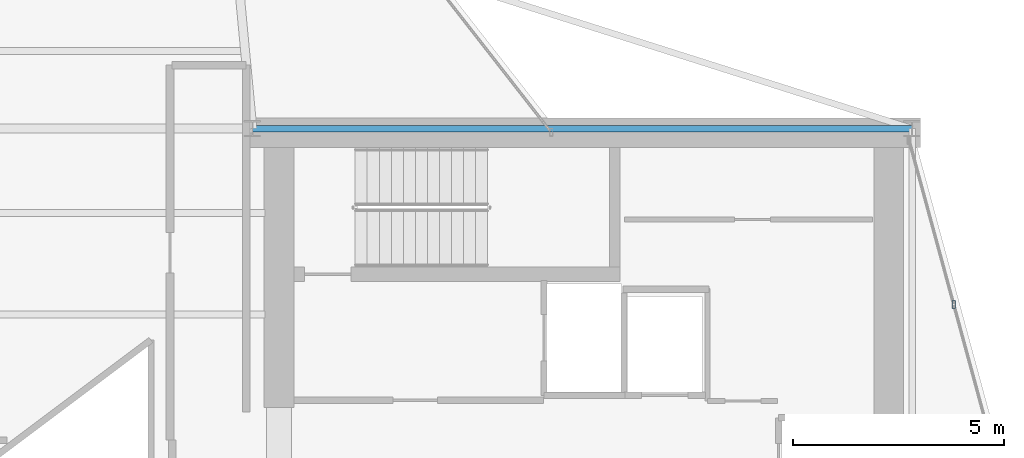
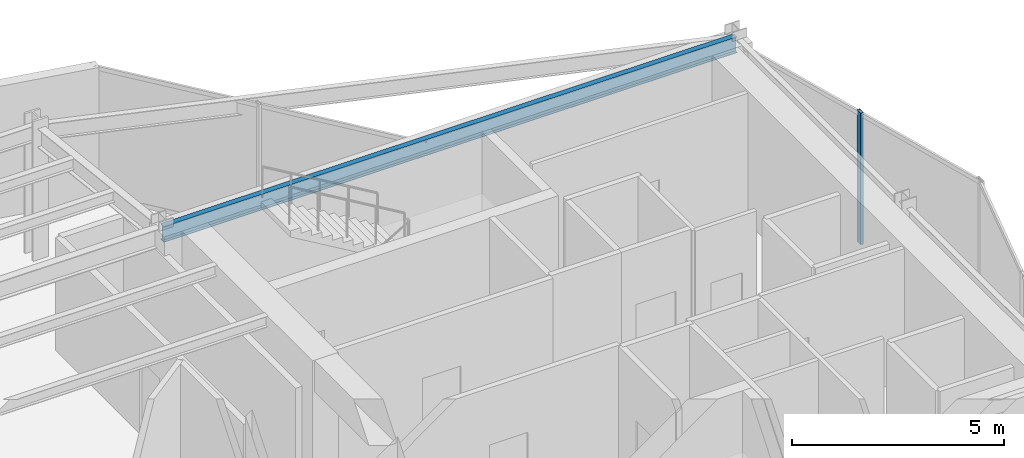
# One storey, part 14 of 21: 1 beam, 1 member, 1 element without a shape of its own.
"""IFC4 building model written with IfcOpenShell, lengths in metres."""

from ifc_helpers import new_model, si_unit, direction, frame, origin, origin_2d, place, context, subcontext, project, spatial, hollow_rectangle, i_section, extrude, material, layer, layer_set, material_profile, profile_set, type_object, element, aggregate, save


model = new_model("IFC4")

# Units and contexts
model_context = context("Model", 3, precision=1e-05, world=origin(), true_north=direction((0.0, 1.0)))
body_context = subcontext(model_context, "Body", "Model", "MODEL_VIEW")
ifc_project = project(units=[si_unit("LENGTHUNIT", "METRE"), si_unit("AREAUNIT", "SQUARE_METRE"), si_unit("VOLUMEUNIT", "CUBIC_METRE"), si_unit("PLANEANGLEUNIT", "RADIAN"), si_unit("MASSUNIT", "GRAM", prefix="KILO")], contexts=[model_context])

# Site, building, storey
site_placement = place(None, origin())
site = spatial("IfcSite", under=ifc_project, at=site_placement, CompositionType="ELEMENT")
building_placement = place(site_placement, origin())
building = spatial("IfcBuilding", under=site, at=building_placement, Name="Veymaron Broadcast Tower", CompositionType="ELEMENT")
storey_placement = place(building_placement, frame((0.0, 0.0, 244.5)))
storey = spatial("IfcBuildingStorey", under=building, at=storey_placement, Name="L57", CompositionType="ELEMENT", Elevation=244.5)

# Beam
ifc_material_1 = material(Name="Structural steel ASTM A992 Gr 50", Category="steel")
ifc_material_profile_1 = material_profile(ifc_material_1, i_section(OverallWidth=0.154052734375, OverallDepth=0.458984375, WebThickness=0.009033203125, FlangeThickness=0.015380859375, at=origin_2d()), Name="W460X68")
ifc_profile_set_1 = profile_set([ifc_material_profile_1], Name="Structural steel ASTM A992 Gr 50")
beam_type = type_object("IfcBeamType", Name="BM-SP2", PredefinedType="SPANDREL", material=ifc_profile_set_1)
beam_placement = place(storey_placement, frame((39.0, 32.0, 3.560546875), z_axis=(1.0, 0.0, 0.0), x_axis=(0.0, 1.0, 0.0)))
element("IfcBeam", 1, at=beam_placement, inside=storey, type_object=beam_type, Name="L57 primary structural floor girder", PredefinedType="SPANDREL", context=body_context, shape_type="SweptSolid", body=[
    extrude(i_section(OverallWidth=0.154052734375, OverallDepth=0.458984375, WebThickness=0.009033203125, FlangeThickness=0.015380859375, at=origin_2d()), origin(), (0.0, 0.0, 1.0), 15.60009765625),
])

# Curtain wall, member
ifc_material_2 = material(Name="Anodised aluminium AA 6063-T6 and laminated low-E dark glass", Category="aluminium")
ifc_layer = layer(ifc_material_2, 0.179931640625)
ifc_layer_set = layer_set([ifc_layer], Name="Anodised aluminium AA 6063-T6 and laminated low-E dark glass")
curtain_wall_type = type_object("IfcCurtainWallType", Name="CW-SYS-05", PredefinedType="NOTDEFINED", material=ifc_layer_set)
curtain_wall_placement = place(storey_placement, origin())
curtain_wall = element("IfcCurtainWall", 2, at=curtain_wall_placement, inside=storey, type_object=curtain_wall_type, Name="L57 dark-glass curtain wall CW-L57-E3-1", PredefinedType="NOTDEFINED")
ifc_material_3 = material(Name="Anodised aluminium AA 6063-T6", Category="aluminium")
ifc_material_profile_2 = material_profile(ifc_material_3, hollow_rectangle(XDim=0.074951171875, YDim=0.179931640625, WallThickness=0.0048828125, at=origin_2d()), Name="AL180X75X5")
ifc_profile_set_2 = profile_set([ifc_material_profile_2], Name="Anodised aluminium AA 6063-T6")
member_type = type_object("IfcMemberType", Name="CW-MUL-02", PredefinedType="MULLION", material=ifc_profile_set_2)
member_placement = place(storey_placement, frame((55.585693359375, 27.84228515625, 0.0), z_axis=(0.0, 0.0, 1.0), x_axis=(1.0, 0.0, 0.0)))
member = element("IfcMember", 3, at=member_placement, type_object=member_type, Name="CW-L57-E3-1 mullion 1", PredefinedType="MULLION", context=body_context, shape_type="SweptSolid", body=[
    extrude(hollow_rectangle(XDim=0.074951171875, YDim=0.179931640625, WallThickness=0.0048828125, at=origin_2d()), origin(), (0.0, 0.0, 1.0), 3.7900390625),
])
aggregate(curtain_wall, [member])

save(model, "model.ifc")
